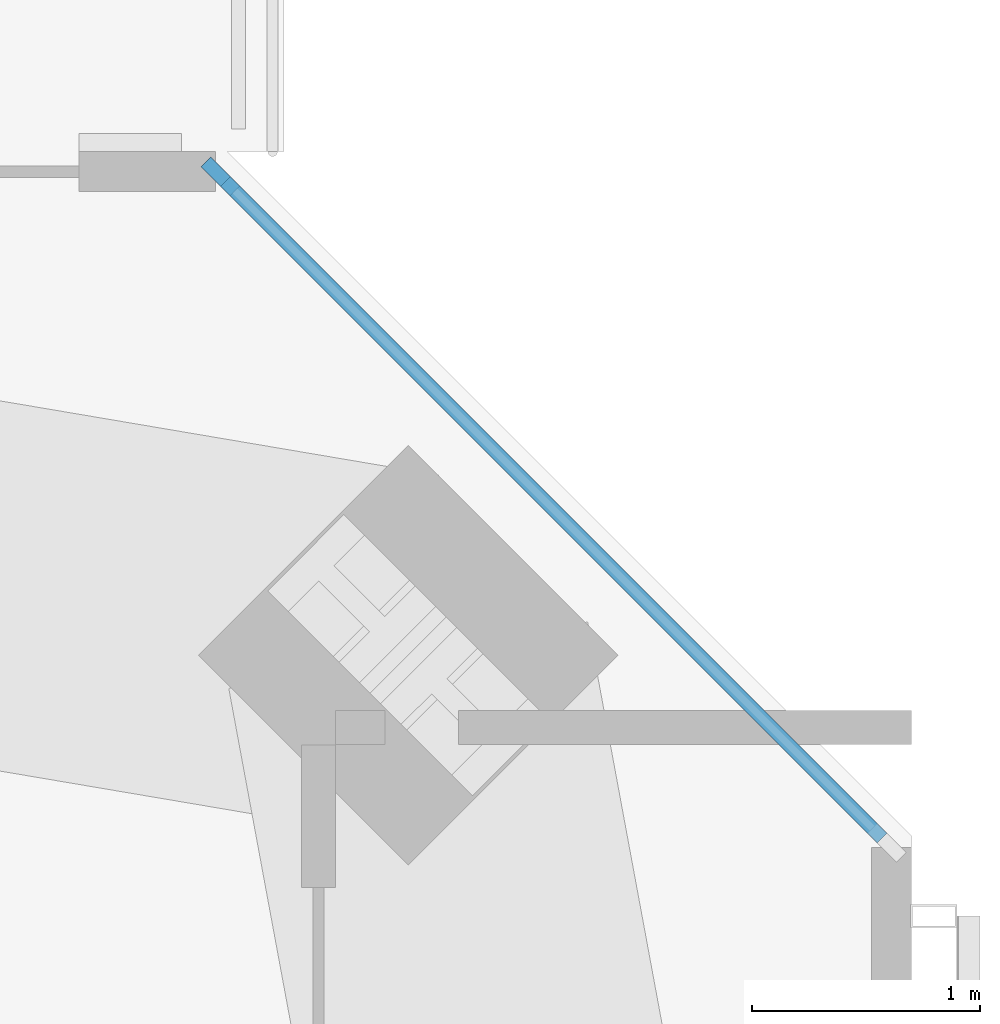
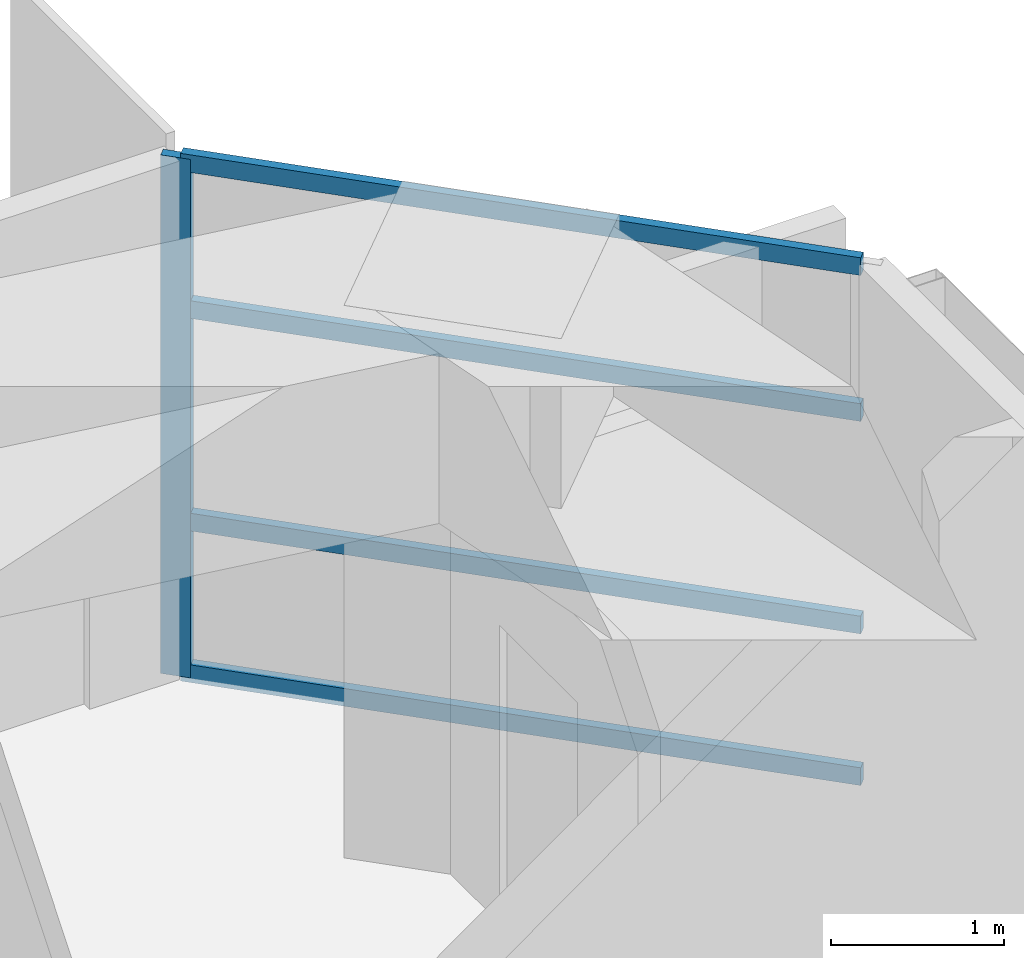
# One storey, part 12 of 20: 5 members, 1 element without a shape of its own.
"""IFC4 building model written with IfcOpenShell, lengths in metres."""

from ifc_helpers import new_model, si_unit, direction, frame, origin, origin_2d, place, context, subcontext, project, spatial, rectangle, extrude, material, material_profile, profile_set, type_object, element, aggregate, save


model = new_model("IFC4")

# Units and contexts
model_context = context("Model", 3, precision=1e-05, world=origin(), true_north=direction((0.0, 1.0)))
body_context = subcontext(model_context, "Body", "Model", "MODEL_VIEW")
ifc_project = project(units=[si_unit("LENGTHUNIT", "METRE"), si_unit("AREAUNIT", "SQUARE_METRE"), si_unit("VOLUMEUNIT", "CUBIC_METRE"), si_unit("PLANEANGLEUNIT", "RADIAN"), si_unit("MASSUNIT", "GRAM", prefix="KILO")], contexts=[model_context])

# Site, building, storey
site_placement = place(None, origin())
site = spatial("IfcSite", under=ifc_project, at=site_placement, CompositionType="ELEMENT")
building_placement = place(site_placement, origin())
building = spatial("IfcBuilding", under=site, at=building_placement, Name="Jalousie Tower", CompositionType="ELEMENT")
storey_placement = place(building_placement, frame((0.0, 0.0, 259.949951171875)))
storey = spatial("IfcBuildingStorey", under=building, at=storey_placement, Name="L71", CompositionType="ELEMENT", Elevation=259.949951171875)

# Curtain wall, members
ifc_material_1 = material(Name="Aluminium curtain wall", Category="aluminium")
curtain_wall_type = type_object("IfcCurtainWallType", Name="PENTHOUSE CORNER WINDOW WALL", PredefinedType="USERDEFINED", material=ifc_material_1)
curtain_wall_placement = place(storey_placement, origin())
curtain_wall = element("IfcCurtainWall", 1, at=curtain_wall_placement, inside=storey, type_object=curtain_wall_type, Name="Penthouse Corner Window Wall L71 4", ObjectType="PENTHOUSE CORNER WINDOW WALL", PredefinedType="USERDEFINED")
ifc_material_2 = material(Name="Aluminium mullion", Category="aluminium")
ifc_material_profile_1 = material_profile(ifc_material_2, rectangle(XDim=0.06005859375, YDim=0.179931640625, at=origin_2d()), Name="MULLION 60x180")
ifc_profile_set_1 = profile_set([ifc_material_profile_1], Name="Aluminium mullion")
member_type_1 = type_object("IfcMemberType", Name="PENTHOUSE CORNER WINDOW WALL MULLION", PredefinedType="MULLION", material=ifc_profile_set_1)
member_1_placement = place(storey_placement, frame((53.469970703125, 33.891357421875, 0.0), z_axis=(0.0, 0.0, 1.0), x_axis=(-0.707106781187, -0.707106781187, 0.0)))
member_1 = element("IfcMember", 2, at=member_1_placement, type_object=member_type_1, Name="CW-H mullion 2", PredefinedType="MULLION", context=body_context, shape_type="SweptSolid", body=[
    extrude(rectangle(XDim=0.06005859375, YDim=0.179931640625, at=origin_2d()), origin(), (0.0, 0.0, 1.0), 3.66015625),
])
ifc_material_3 = material(Name="Aluminium transom", Category="aluminium")
ifc_material_profile_2 = material_profile(ifc_material_3, rectangle(XDim=0.06005859375, YDim=0.125, at=origin_2d()), Name="TRANSOM 60x125")
ifc_profile_set_2 = profile_set([ifc_material_profile_2], Name="Aluminium transom")
member_type_2 = type_object("IfcMemberType", Name="PENTHOUSE CORNER WINDOW WALL TRANSOM", PredefinedType="USERDEFINED", material=ifc_profile_set_2)
member_2_placement = place(storey_placement, frame((56.3701171875, 30.9912109375, 0.030029296875), z_axis=(-0.707106781187, 0.707106781187, 0.0), x_axis=(-0.707106781187, -0.707106781187, 0.0)))
member_2 = element("IfcMember", 3, at=member_2_placement, type_object=member_type_2, Name="CW-H transom 1.1", ObjectType="TRANSOM", PredefinedType="USERDEFINED", context=body_context, shape_type="SweptSolid", body=[
    extrude(rectangle(XDim=0.06005859375, YDim=0.125, at=origin_2d()), origin(), (0.0, 0.0, 1.0), 4.0712890625),
])
member_3_placement = place(storey_placement, frame((56.3701171875, 30.9912109375, 1.10009765625), z_axis=(-0.707106781187, 0.707106781187, 0.0), x_axis=(-0.707106781187, -0.707106781187, 0.0)))
member_3 = element("IfcMember", 4, at=member_3_placement, type_object=member_type_2, Name="CW-H transom 1.2", ObjectType="TRANSOM", PredefinedType="USERDEFINED", context=body_context, shape_type="SweptSolid", body=[
    extrude(rectangle(XDim=0.06005859375, YDim=0.125, at=origin_2d()), origin(), (0.0, 0.0, 1.0), 4.0712890625),
])
member_4_placement = place(storey_placement, frame((56.3701171875, 30.9912109375, 2.60009765625), z_axis=(-0.707106781187, 0.707106781187, 0.0), x_axis=(-0.707106781187, -0.707106781187, 0.0)))
member_4 = element("IfcMember", 5, at=member_4_placement, type_object=member_type_2, Name="CW-H transom 1.3", ObjectType="TRANSOM", PredefinedType="USERDEFINED", context=body_context, shape_type="SweptSolid", body=[
    extrude(rectangle(XDim=0.06005859375, YDim=0.125, at=origin_2d()), origin(), (0.0, 0.0, 1.0), 4.0712890625),
])
member_5_placement = place(storey_placement, frame((56.3701171875, 30.9912109375, 3.630126953125), z_axis=(-0.707106781187, 0.707106781187, 0.0), x_axis=(-0.707106781187, -0.707106781187, 0.0)))
member_5 = element("IfcMember", 6, at=member_5_placement, type_object=member_type_2, Name="CW-H transom 1.4", ObjectType="TRANSOM", PredefinedType="USERDEFINED", context=body_context, shape_type="SweptSolid", body=[
    extrude(rectangle(XDim=0.06005859375, YDim=0.125, at=origin_2d()), origin(), (0.0, 0.0, 1.0), 4.0712890625),
])
aggregate(curtain_wall, [member_1, member_2, member_3, member_4, member_5])

save(model, "model.ifc")
